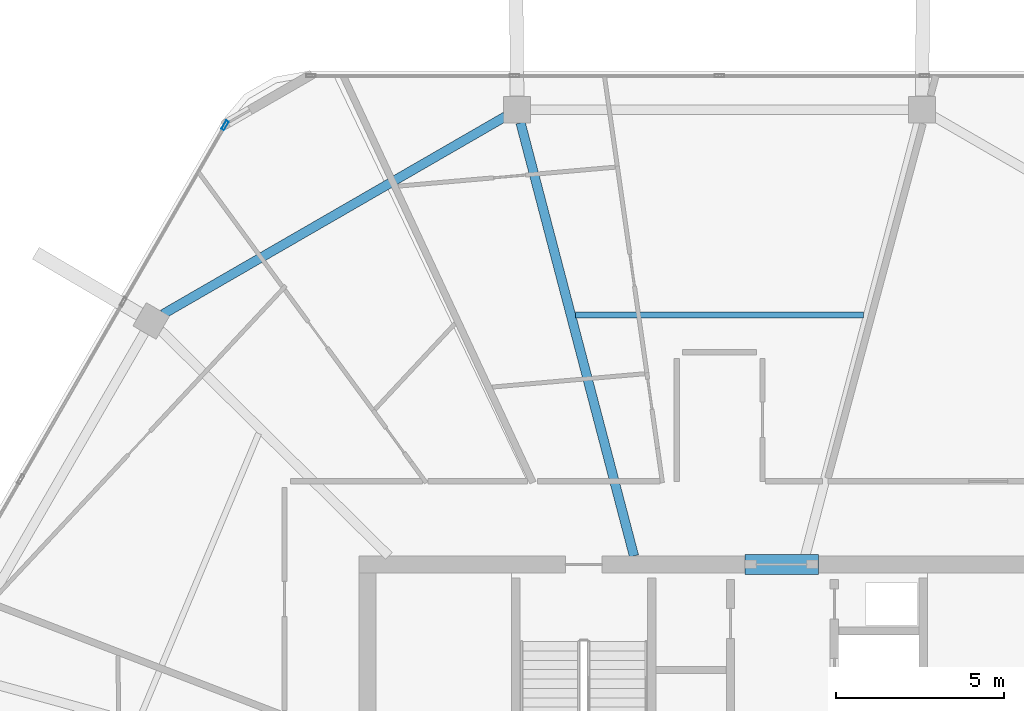
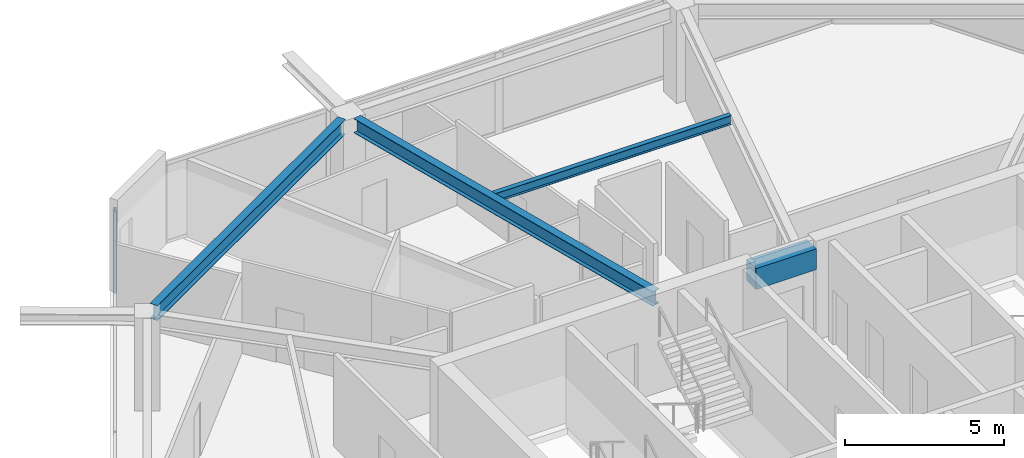
# One storey, part 8 of 21: 4 beams, 1 member, 1 element without a shape of its own.
"""IFC4 building model written with IfcOpenShell, lengths in metres."""

from ifc_helpers import new_model, si_unit, direction, frame, origin, origin_2d, place, context, subcontext, project, spatial, rectangle, hollow_rectangle, i_section, extrude, material, material_profile, profile_set, type_object, element, aggregate, save


model = new_model("IFC4")

# Units and contexts
model_context = context("Model", 3, precision=1e-05, world=origin(), true_north=direction((0.0, 1.0)))
body_context = subcontext(model_context, "Body", "Model", "MODEL_VIEW")
ifc_project = project(units=[si_unit("LENGTHUNIT", "METRE"), si_unit("AREAUNIT", "SQUARE_METRE"), si_unit("VOLUMEUNIT", "CUBIC_METRE"), si_unit("PLANEANGLEUNIT", "RADIAN"), si_unit("MASSUNIT", "GRAM", prefix="KILO")], contexts=[model_context])

# Site, building, storey
site_placement = place(None, origin())
site = spatial("IfcSite", under=ifc_project, at=site_placement, CompositionType="ELEMENT")
building_placement = place(site_placement, origin())
building = spatial("IfcBuilding", under=site, at=building_placement, Name="Zuhravey Tower", CompositionType="ELEMENT")
storey_placement = place(building_placement, frame((0.0, 0.0, 319.60009765625)))
storey = spatial("IfcBuildingStorey", under=building, at=storey_placement, Name="L81", CompositionType="ELEMENT", Elevation=319.60009765625)

# Beam
ifc_material_1 = material(Name="Concrete C50/60", Category="concrete")
ifc_material_profile_1 = material_profile(ifc_material_1, rectangle(XDim=0.60009765625, YDim=0.800048828125, at=origin_2d()), Name="RC-600x800")
ifc_profile_set_1 = profile_set([ifc_material_profile_1], Name="Concrete C50/60")
beam_type_1 = type_object("IfcBeamType", Name="Core Coupling Beam RC600x800", PredefinedType="LINTEL", material=ifc_profile_set_1)
beam_1_placement = place(storey_placement, frame((36.751953125, 41.5, 3.14990234375), z_axis=(1.0, 0.0, 0.0), x_axis=(0.0, 1.0, 0.0)))
element("IfcBeam", 1, at=beam_1_placement, inside=storey, type_object=beam_type_1, Name="L81 CB2 BM-L81-CB-N", PredefinedType="LINTEL", context=body_context, shape_type="SweptSolid", body=[
    extrude(rectangle(XDim=0.60009765625, YDim=0.800048828125, at=origin_2d()), origin(), (0.0, 0.0, 1.0), 2.196044921875),
])

# Curtain wall, member
ifc_material_2 = material(Name="Thermally broken anodised aluminium", Category="aluminium")
curtain_wall_type = type_object("IfcCurtainWallType", Name="Zone 3-4 High-Rise Curtain Wall CW4", PredefinedType="NOTDEFINED", material=ifc_material_2)
curtain_wall_placement = place(storey_placement, origin())
curtain_wall = element("IfcCurtainWall", 2, at=curtain_wall_placement, inside=storey, type_object=curtain_wall_type, Name="L81 CW4 CW-L81-F3-1", PredefinedType="NOTDEFINED")
ifc_material_3 = material(Name="Anodised aluminium", Category="aluminium")
ifc_material_profile_2 = material_profile(ifc_material_3, hollow_rectangle(XDim=0.090087890625, YDim=0.284912109375, WallThickness=0.0048828125, at=origin_2d()), Name="ALU-RHS-90x285x5")
ifc_profile_set_2 = profile_set([ifc_material_profile_2], Name="Anodised aluminium")
member_type = type_object("IfcMemberType", Name="Curtain-Wall Mullion 90x180", PredefinedType="MULLION", material=ifc_profile_set_2)
member_placement = place(storey_placement, frame((21.248291015625, 54.59765625, 0.0), z_axis=(0.0, 0.0, 1.0), x_axis=(-0.866025511541, 0.49999981336, 0.0)))
member = element("IfcMember", 3, at=member_placement, type_object=member_type, Name="CW4 mullion 5", PredefinedType="MULLION", context=body_context, shape_type="SweptSolid", body=[
    extrude(hollow_rectangle(XDim=0.090087890625, YDim=0.284912109375, WallThickness=0.0048828125, at=origin_2d()), origin(), (0.0, 0.0, 1.0), 3.121826171875),
])
aggregate(curtain_wall, [member])

# Beams
ifc_material_4 = material(Name="Steel SM355", Category="steel")
ifc_material_profile_3 = material_profile(ifc_material_4, i_section(OverallWidth=0.280029296875, OverallDepth=0.580078125, WebThickness=0.011962890625, FlangeThickness=0.01904296875, at=origin_2d()), Name="H-580x280x12x19")
ifc_profile_set_3 = profile_set([ifc_material_profile_3], Name="Steel SM355")
beam_type_2 = type_object("IfcBeamType", Name="Perimeter Ring Beam H580x280", PredefinedType="BEAM", material=ifc_profile_set_3)
beam_2_placement = place(storey_placement, frame((29.6123046875, 54.862548828125, 3.260009765625), z_axis=(-0.866023977509, -0.500002470373, 0.0), x_axis=(0.500002470373, -0.866023977509, 0.0)))
element("IfcBeam", 4, at=beam_2_placement, inside=storey, type_object=beam_type_2, Name="L81 PB4 BM-L81-PB-04", PredefinedType="BEAM", context=body_context, shape_type="SweptSolid", body=[
    extrude(i_section(OverallWidth=0.280029296875, OverallDepth=0.580078125, WebThickness=0.011962890625, FlangeThickness=0.01904296875, at=origin_2d()), origin(), (0.0, 0.0, 1.0), 11.798828125),
])
ifc_material_profile_4 = material_profile(ifc_material_4, i_section(OverallWidth=0.280029296875, OverallDepth=0.550048828125, WebThickness=0.010986328125, FlangeThickness=0.01806640625, at=origin_2d()), Name="H-550x280x11x18")
ifc_profile_set_4 = profile_set([ifc_material_profile_4], Name="Steel SM355")
beam_type_3 = type_object("IfcBeamType", Name="Radial Primary Girder H550x280", PredefinedType="BEAM", material=ifc_profile_set_4)
beam_3_placement = place(storey_placement, frame((33.446533203125, 41.7529296875, 3.27490234375), z_axis=(-0.253281197106, 0.967392699576, 0.0), x_axis=(-0.967392699576, -0.253281197106, 0.0)))
element("IfcBeam", 5, at=beam_3_placement, inside=storey, type_object=beam_type_3, Name="L81 RG4 BM-L81-RAD-04", PredefinedType="BEAM", context=body_context, shape_type="SweptSolid", body=[
    extrude(i_section(OverallWidth=0.280029296875, OverallDepth=0.550048828125, WebThickness=0.010986328125, FlangeThickness=0.01806640625, at=origin_2d()), origin(), (0.0, 0.0, 1.0), 13.35693359375),
])
ifc_material_profile_5 = material_profile(ifc_material_4, i_section(OverallWidth=0.175048828125, OverallDepth=0.35009765625, WebThickness=0.007080078125, FlangeThickness=0.010986328125, at=origin_2d()), Name="H-350x175x7x11")
ifc_profile_set_5 = profile_set([ifc_material_profile_5], Name="Steel SM355")
beam_type_4 = type_object("IfcBeamType", Name="Secondary Floor Joist H350x175", PredefinedType="JOIST", material=ifc_profile_set_5)
beam_4_placement = place(storey_placement, frame((40.29150390625, 48.94091796875, 3.375), z_axis=(-1.0, 0.0, 0.0), x_axis=(0.0, -1.0, 0.0)))
element("IfcBeam", 6, at=beam_4_placement, inside=storey, type_object=beam_type_4, Name="L81 SJ3 BM-L81-SJ-03-1", PredefinedType="JOIST", context=body_context, shape_type="SweptSolid", body=[
    extrude(i_section(OverallWidth=0.175048828125, OverallDepth=0.35009765625, WebThickness=0.007080078125, FlangeThickness=0.010986328125, at=origin_2d()), origin(), (0.0, 0.0, 1.0), 8.5830078125),
])

save(model, "model.ifc")
